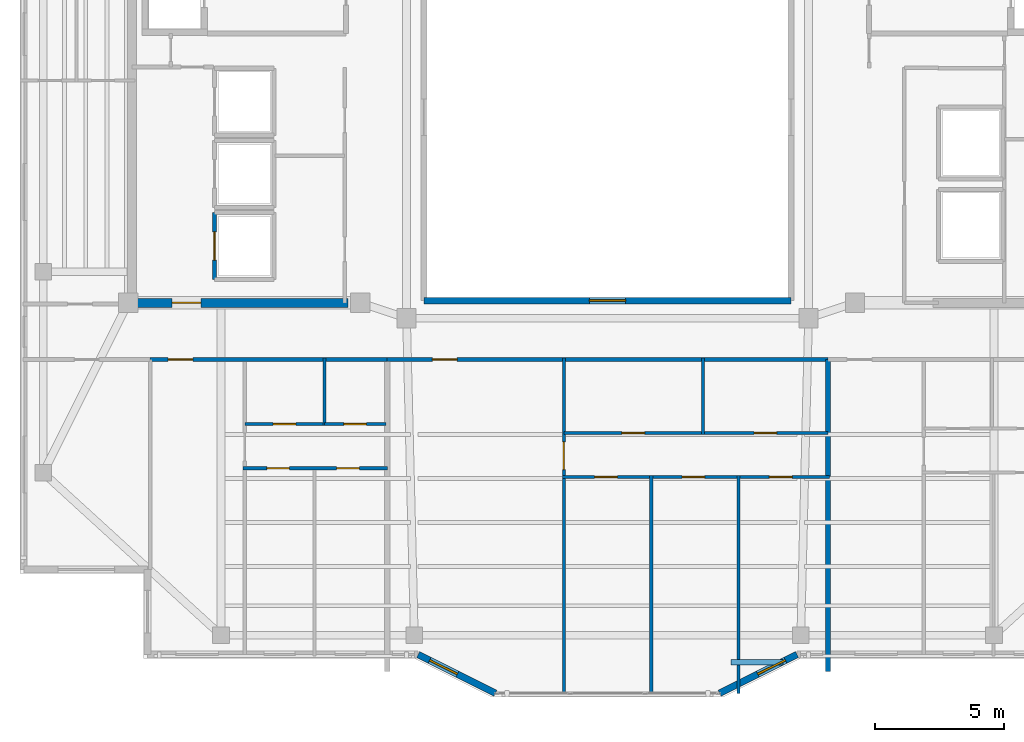
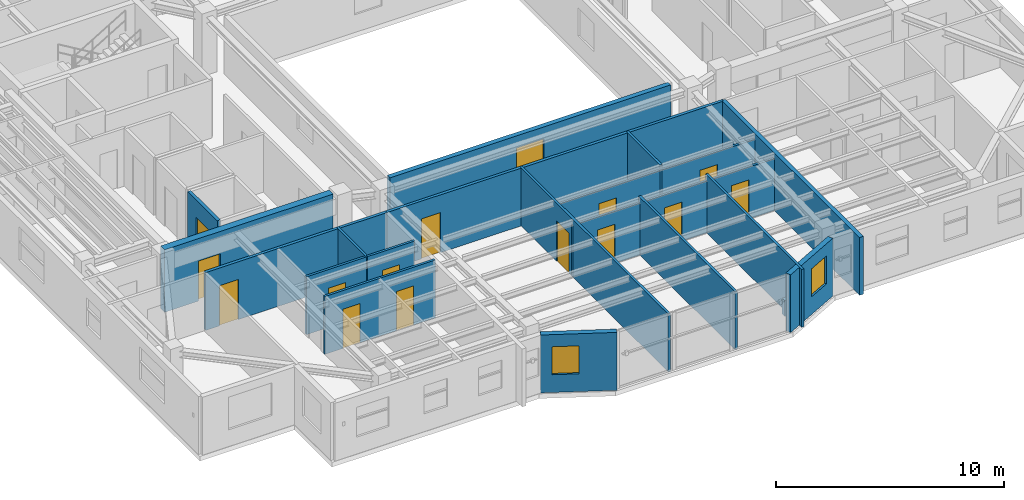
# One storey, part 6 of 15: 20 walls, 14 doors, 3 windows, 17 openings.
"""IFC4 building model written with IfcOpenShell, lengths in metres."""

from ifc_helpers import new_model, si_unit, direction, frame, frame_2d, origin, place, context, subcontext, project, spatial, rectangle, extrude, material, layer, layer_set, type_object, element, fill, save


model = new_model("IFC4")

# Units and contexts
model_context = context("Model", 3, precision=1e-05, world=origin(), true_north=direction((0.0, 1.0)))
body_context = subcontext(model_context, "Body", "Model", "MODEL_VIEW")
ifc_project = project(units=[si_unit("LENGTHUNIT", "METRE"), si_unit("AREAUNIT", "SQUARE_METRE"), si_unit("VOLUMEUNIT", "CUBIC_METRE"), si_unit("PLANEANGLEUNIT", "RADIAN"), si_unit("MASSUNIT", "GRAM", prefix="KILO")], contexts=[model_context])

# Site, building, storey
site_placement = place(None, origin())
site = spatial("IfcSite", under=ifc_project, at=site_placement, CompositionType="ELEMENT")
building_placement = place(site_placement, origin())
building = spatial("IfcBuilding", under=site, at=building_placement, Name="Tarnavaz Court Tower", CompositionType="ELEMENT")
storey_placement = place(building_placement, frame((0.0, 0.0, 241.5)))
storey = spatial("IfcBuildingStorey", under=building, at=storey_placement, Name="L65", CompositionType="ELEMENT", Elevation=241.5)

# Wall, opening, door
ifc_material_1 = material(Name="Concrete C50/60", Category="concrete")
ifc_layer_1 = layer(ifc_material_1, 0.35009765625)
ifc_layer_set_1 = layer_set([ifc_layer_1], Name="Concrete C50/60")
wall_type_1 = type_object("IfcWallType", Name="WL-CORE-350-C50", PredefinedType="SHEAR", material=ifc_layer_set_1)
wall_1_placement = place(storey_placement, frame((-18.625, -7.199951171875, 0.0), z_axis=(0.0, 0.0, 1.0), x_axis=(1.0, 0.0, 0.0)))
wall_1 = element("IfcWall", 1, at=wall_1_placement, inside=storey, type_object=wall_type_1, Name="L65 West Core South Shear Wall 046", PredefinedType="SHEAR", context=body_context, shape_type="SweptSolid", body=[
    extrude(rectangle(XDim=8.550048828125, YDim=0.35009765625, at=frame_2d((4.27490234375, 0.0))), origin(), (0.0, 0.0, 1.0), 3.35009765625),
])
opening_1_placement = place(wall_1_placement, frame((1.72509765625, 0.0, 0.0)))
opening_1 = element("IfcOpeningElement", 2, at=opening_1_placement, cuts=wall_1, Name="Opening D04", PredefinedType="OPENING", context=body_context, shape_type="SweptSolid", body=[
    extrude(rectangle(XDim=1.1201171875, YDim=2.14990234375, at=frame_2d((0.56005859375, 1.074951171875))), frame((0.0, 0.18505859375, 0.0), z_axis=(0.0, -1.0, 0.0), x_axis=(1.0, 0.0, 0.0)), (0.0, 0.0, 1.0), 0.3701171875),
])
ifc_material_2 = material(Name="Fire-Rated Hardwood Timber Core", Category="wood")
door_type_1 = type_object("IfcDoorType", Name="DR-FD60-1100", OperationType="NOTDEFINED", PredefinedType="DOOR", material=ifc_material_2)
door_1_placement = place(opening_1_placement, origin())
door_1 = element("IfcDoor", 3, at=door_1_placement, inside=storey, type_object=door_type_1, Name="L65 West High-Rise Lift Lobby Door", OperationType="SINGLE_SWING_LEFT", OverallHeight=2.14990234375, OverallWidth=1.1201171875, PredefinedType="DOOR", context=body_context, shape_type="SweptSolid", body=[
    extrude(rectangle(XDim=1.1201171875, YDim=2.14990234375, at=frame_2d((0.56005859375, 1.074951171875))), frame((0.0, 0.02490234375, 0.0), z_axis=(0.0, -1.0, 0.0), x_axis=(1.0, 0.0, 0.0)), (0.0, 0.0, 1.0), 0.050048828125),
])
fill(opening_1, door_1)

# Wall, opening, window
ifc_material_3 = material(Name="Precast Concrete C40/50", Category="concrete")
ifc_layer_2 = layer(ifc_material_3, 0.260009765625)
ifc_layer_set_2 = layer_set([ifc_layer_2], Name="Precast Concrete C40/50")
wall_type_2 = type_object("IfcWallType", Name="WL-EXT-260", PredefinedType="SOLIDWALL", material=ifc_layer_set_2)
wall_2_placement = place(storey_placement, frame((7.35009765625, -20.85009765625, 0.0), z_axis=(0.0, 0.0, 1.0), x_axis=(-0.894427191, -0.4472135955, 0.0)))
wall_2 = element("IfcWall", 4, at=wall_2_placement, inside=storey, type_object=wall_type_2, Name="L65 Exterior Terracotta Facade Wall 16", PredefinedType="SOLIDWALL", context=body_context, shape_type="SweptSolid", body=[
    extrude(rectangle(XDim=3.35400390625, YDim=0.260009765625, at=frame_2d((1.677001953125, 0.0))), origin(), (0.0, 0.0, 1.0), 3.10009765625),
])
opening_2_placement = place(wall_2_placement, frame((0.501220703125, 0.0, 0.949951171875)))
opening_2 = element("IfcOpeningElement", 5, at=opening_2_placement, cuts=wall_2, Name="Opening W05", PredefinedType="OPENING", context=body_context, shape_type="SweptSolid", body=[
    extrude(rectangle(XDim=1.199951171875, YDim=1.5, at=frame_2d((0.60009765625, 0.75))), frame((0.0, 0.139892578125, 0.0), z_axis=(0.0, -1.0, 0.0), x_axis=(1.0, 0.0, 0.0)), (0.0, 0.0, 1.0), 0.280029296875),
])
ifc_material_4 = material(Name="Double-Glazed Solar Low-E Glass", Category="glass")
window_type_1 = type_object("IfcWindowType", Name="WN-APT-1200", PartitioningType="SINGLE_PANEL", PredefinedType="WINDOW", material=ifc_material_4)
window_1_placement = place(opening_2_placement, origin())
window_1 = element("IfcWindow", 6, at=window_1_placement, inside=storey, type_object=window_type_1, Name="L65 Flat 07 Bedroom 3 Window", OverallHeight=1.5, OverallWidth=1.199951171875, PartitioningType="SINGLE_PANEL", PredefinedType="WINDOW", context=body_context, shape_type="SweptSolid", body=[
    extrude(rectangle(XDim=1.199951171875, YDim=1.5, at=frame_2d((0.60009765625, 0.75))), frame((0.0, 0.030029296875, 0.0), z_axis=(0.0, -1.0, 0.0), x_axis=(1.0, 0.0, 0.0)), (0.0, 0.0, 1.0), 0.06005859375),
])
fill(opening_2, window_1)

wall_3_placement = place(storey_placement, frame((-4.35009765625, -22.35009765625, 0.0), z_axis=(0.0, 0.0, 1.0), x_axis=(-0.894427191, 0.4472135955, 0.0)))
wall_3 = element("IfcWall", 7, at=wall_3_placement, inside=storey, type_object=wall_type_2, Name="L65 Exterior Terracotta Facade Wall 18", PredefinedType="SOLIDWALL", context=body_context, shape_type="SweptSolid", body=[
    extrude(rectangle(XDim=3.35400390625, YDim=0.260009765625, at=frame_2d((1.677001953125, 0.0))), origin(), (0.0, 0.0, 1.0), 3.10009765625),
])
opening_3_placement = place(wall_3_placement, frame((1.65283203125, 0.0, 0.949951171875)))
opening_3 = element("IfcOpeningElement", 8, at=opening_3_placement, cuts=wall_3, Name="Opening W05", PredefinedType="OPENING", context=body_context, shape_type="SweptSolid", body=[
    extrude(rectangle(XDim=1.199951171875, YDim=1.5, at=frame_2d((0.60009765625, 0.75))), frame((0.0, 0.139892578125, 0.0), z_axis=(0.0, -1.0, 0.0), x_axis=(1.0, 0.0, 0.0)), (0.0, 0.0, 1.0), 0.280029296875),
])
window_2_placement = place(opening_3_placement, origin())
window_2 = element("IfcWindow", 9, at=window_2_placement, inside=storey, type_object=window_type_1, Name="L65 Flat 07 Living and Dining Room Window", OverallHeight=1.5, OverallWidth=1.199951171875, PartitioningType="SINGLE_PANEL", PredefinedType="WINDOW", context=body_context, shape_type="SweptSolid", body=[
    extrude(rectangle(XDim=1.199951171875, YDim=1.5, at=frame_2d((0.60009765625, 0.75))), frame((0.0, 0.030029296875, 0.0), z_axis=(0.0, -1.0, 0.0), x_axis=(1.0, 0.0, 0.0)), (0.0, 0.0, 1.0), 0.06005859375),
])
fill(opening_3, window_2)

# Wall, opening, door
ifc_material_5 = material(Name="Gypsum Fire-Board on Acoustic Metal Stud", Category="masonry")
ifc_layer_3 = layer(ifc_material_5, 0.14990234375)
ifc_layer_set_3 = layer_set([ifc_layer_3], Name="Gypsum Fire-Board on Acoustic Metal Stud")
wall_type_3 = type_object("IfcWallType", Name="WL-FIRE-150", PredefinedType="PARTITIONING", material=ifc_layer_set_3)
wall_4_placement = place(storey_placement, frame((-17.75, -9.39990234375, 0.0), z_axis=(0.0, 0.0, 1.0), x_axis=(1.0, 0.0, 0.0)))
wall_4 = element("IfcWall", 10, at=wall_4_placement, inside=storey, type_object=wall_type_3, Name="L65 SW Lobby Wall 062", PredefinedType="PARTITIONING", context=body_context, shape_type="SweptSolid", body=[
    extrude(rectangle(XDim=9.199951171875, YDim=0.14990234375, at=frame_2d((4.60009765625, 0.0))), origin(), (0.0, 0.0, 1.0), 3.10009765625),
])
opening_4_placement = place(wall_4_placement, frame((0.699951171875, 0.0, 0.0)))
opening_4 = element("IfcOpeningElement", 11, at=opening_4_placement, cuts=wall_4, Name="Opening D06", PredefinedType="OPENING", context=body_context, shape_type="SweptSolid", body=[
    extrude(rectangle(XDim=0.9599609375, YDim=2.14990234375, at=frame_2d((0.47998046875, 1.074951171875))), frame((0.0, 0.0849609375, 0.0), z_axis=(0.0, -1.0, 0.0), x_axis=(1.0, 0.0, 0.0)), (0.0, 0.0, 1.0), 0.169921875),
])
door_type_2 = type_object("IfcDoorType", Name="DR-FD60-950", OperationType="NOTDEFINED", PredefinedType="DOOR", material=ifc_material_2)
door_2_placement = place(opening_4_placement, origin())
door_2 = element("IfcDoor", 12, at=door_2_placement, inside=storey, type_object=door_type_2, Name="L65 Flat 05 Entrance Door", OperationType="SINGLE_SWING_RIGHT", OverallHeight=2.14990234375, OverallWidth=0.9599609375, PredefinedType="DOOR", context=body_context, shape_type="SweptSolid", body=[
    extrude(rectangle(XDim=0.9599609375, YDim=2.14990234375, at=frame_2d((0.47998046875, 1.074951171875))), frame((0.0, 0.02490234375, 0.0), z_axis=(0.0, -1.0, 0.0), x_axis=(1.0, 0.0, 0.0)), (0.0, 0.0, 1.0), 0.050048828125),
])
fill(opening_4, door_2)

wall_5_placement = place(storey_placement, frame((-8.550048828125, -9.39990234375, 0.0), z_axis=(0.0, 0.0, 1.0), x_axis=(1.0, 0.0, 0.0)))
wall_5 = element("IfcWall", 13, at=wall_5_placement, inside=storey, type_object=wall_type_3, Name="L65 Interior Partition 103", PredefinedType="PARTITIONING", context=body_context, shape_type="SweptSolid", body=[
    extrude(rectangle(XDim=17.10009765625, YDim=0.14990234375, at=frame_2d((8.550048828125, 0.0))), origin(), (0.0, 0.0, 1.0), 3.10009765625),
])
opening_5_placement = place(wall_5_placement, frame((1.75, 0.0, 0.0)))
opening_5 = element("IfcOpeningElement", 14, at=opening_5_placement, cuts=wall_5, Name="Opening D06", PredefinedType="OPENING", context=body_context, shape_type="SweptSolid", body=[
    extrude(rectangle(XDim=0.9599609375, YDim=2.14990234375, at=frame_2d((0.47998046875, 1.074951171875))), frame((0.0, 0.0849609375, 0.0), z_axis=(0.0, -1.0, 0.0), x_axis=(1.0, 0.0, 0.0)), (0.0, 0.0, 1.0), 0.169921875),
])
door_3_placement = place(opening_5_placement, origin())
door_3 = element("IfcDoor", 15, at=door_3_placement, inside=storey, type_object=door_type_2, Name="L65 Flat 07 Entrance Door", OperationType="SINGLE_SWING_RIGHT", OverallHeight=2.14990234375, OverallWidth=0.9599609375, PredefinedType="DOOR", context=body_context, shape_type="SweptSolid", body=[
    extrude(rectangle(XDim=0.9599609375, YDim=2.14990234375, at=frame_2d((0.47998046875, 1.074951171875))), frame((0.0, 0.02490234375, 0.0), z_axis=(0.0, -1.0, 0.0), x_axis=(1.0, 0.0, 0.0)), (0.0, 0.0, 1.0), 0.050048828125),
])
fill(opening_5, door_3)

# Walls
ifc_material_6 = material(Name="Autoclaved Aerated Concrete Blockwork", Category="masonry")
ifc_layer_4 = layer(ifc_material_6, 0.199951171875)
ifc_layer_set_4 = layer_set([ifc_layer_4], Name="Autoclaved Aerated Concrete Blockwork")
wall_type_4 = type_object("IfcWallType", Name="WL-FIRE-200", PredefinedType="SOLIDWALL", material=ifc_layer_set_4)
wall_6_placement = place(storey_placement, frame((8.550048828125, -21.50390625, 0.0), z_axis=(0.0, 0.0, 1.0), x_axis=(0.0, 1.0, 0.0)))
element("IfcWall", 16, at=wall_6_placement, inside=storey, type_object=wall_type_4, Name="L65 Party Wall 102", PredefinedType="SOLIDWALL", context=body_context, shape_type="SweptSolid", body=[
    extrude(rectangle(XDim=12.10400390625, YDim=0.199951171875, at=frame_2d((6.052001953125, 0.0))), origin(), (0.0, 0.0, 1.0), 3.10009765625),
])
ifc_layer_5 = layer(ifc_material_3, 0.219970703125)
ifc_layer_set_5 = layer_set([ifc_layer_5], Name="Precast Concrete C40/50")
wall_type_5 = type_object("IfcWallType", Name="WL-PARAPET-220", PredefinedType="PARAPET", material=ifc_layer_set_5)
wall_7_placement = place(storey_placement, frame((4.800048828125, -21.14990234375, 0.0), z_axis=(0.0, 0.0, 1.0), x_axis=(1.0, 0.0, 0.0)))
element("IfcWall", 17, at=wall_7_placement, inside=storey, type_object=wall_type_5, Name="L65 South Prow Terracotta Parapet Upstand", PredefinedType="PARAPET", context=body_context, shape_type="SweptSolid", body=[
    extrude(rectangle(XDim=2.0, YDim=0.219970703125, at=frame_2d((1.0, 0.0))), origin(), (0.0, 0.0, 1.0), 0.85009765625),
])

# Wall, opening, door
ifc_material_7 = material(Name="Moisture-Resistant Gypsum Board Partition", Category="masonry")
ifc_layer_6 = layer(ifc_material_7, 0.1201171875)
ifc_layer_set_6 = layer_set([ifc_layer_6], Name="Moisture-Resistant Gypsum Board Partition")
wall_type_6 = type_object("IfcWallType", Name="WL-PART-120", PredefinedType="PARTITIONING", material=ifc_layer_set_6)
wall_8_placement = place(storey_placement, frame((-14.077880859375, -11.909912109375, 0.0), z_axis=(0.0, 0.0, 1.0), x_axis=(1.0, 0.0, 0.0)))
wall_8 = element("IfcWall", 18, at=wall_8_placement, inside=storey, type_object=wall_type_6, Name="L65 Interior Partition 090", PredefinedType="PARTITIONING", context=body_context, shape_type="SweptSolid", body=[
    extrude(rectangle(XDim=3.087890625, YDim=0.1201171875, at=frame_2d((1.5439453125, 0.0))), origin(), (0.0, 0.0, 1.0), 3.10009765625),
])
opening_6_placement = place(wall_8_placement, frame((1.10400390625, 0.0, 0.0)))
opening_6 = element("IfcOpeningElement", 19, at=opening_6_placement, cuts=wall_8, Name="Opening D14", PredefinedType="OPENING", context=body_context, shape_type="SweptSolid", body=[
    extrude(rectangle(XDim=0.8798828125, YDim=2.10009765625, at=frame_2d((0.43994140625, 1.050048828125))), frame((0.0, 0.070068359375, 0.0), z_axis=(0.0, -1.0, 0.0), x_axis=(1.0, 0.0, 0.0)), (0.0, 0.0, 1.0), 0.14013671875),
])
ifc_material_8 = material(Name="Engineered Oak Timber", Category="wood")
door_type_3 = type_object("IfcDoorType", Name="DR-INT-900", OperationType="NOTDEFINED", PredefinedType="DOOR", material=ifc_material_8)
door_4_placement = place(opening_6_placement, origin())
door_4 = element("IfcDoor", 20, at=door_4_placement, inside=storey, type_object=door_type_3, Name="L65 Flat 05 Kitchen Door", OperationType="SINGLE_SWING_RIGHT", OverallHeight=2.10009765625, OverallWidth=0.8798828125, PredefinedType="DOOR", context=body_context, shape_type="SweptSolid", body=[
    extrude(rectangle(XDim=0.8798828125, YDim=2.10009765625, at=frame_2d((0.43994140625, 1.050048828125))), frame((0.0, 0.02490234375, 0.0), z_axis=(0.0, -1.0, 0.0), x_axis=(1.0, 0.0, 0.0)), (0.0, 0.0, 1.0), 0.050048828125),
])
fill(opening_6, door_4)

wall_9_placement = place(storey_placement, frame((-10.989990234375, -11.909912109375, 0.0), z_axis=(0.0, 0.0, 1.0), x_axis=(1.0, 0.0, 0.0)))
wall_9 = element("IfcWall", 21, at=wall_9_placement, inside=storey, type_object=wall_type_6, Name="L65 Interior Partition 091", PredefinedType="PARTITIONING", context=body_context, shape_type="SweptSolid", body=[
    extrude(rectangle(XDim=2.389892578125, YDim=0.1201171875, at=frame_2d((1.19482421875, 0.0))), origin(), (0.0, 0.0, 1.0), 3.10009765625),
])
opening_7_placement = place(wall_9_placement, frame((0.7548828125, 0.0, 0.0)))
opening_7 = element("IfcOpeningElement", 22, at=opening_7_placement, cuts=wall_9, Name="Opening D14", PredefinedType="OPENING", context=body_context, shape_type="SweptSolid", body=[
    extrude(rectangle(XDim=0.8798828125, YDim=2.10009765625, at=frame_2d((0.43994140625, 1.050048828125))), frame((0.0, 0.070068359375, 0.0), z_axis=(0.0, -1.0, 0.0), x_axis=(1.0, 0.0, 0.0)), (0.0, 0.0, 1.0), 0.14013671875),
])
door_5_placement = place(opening_7_placement, origin())
door_5 = element("IfcDoor", 23, at=door_5_placement, inside=storey, type_object=door_type_3, Name="L65 Flat 05 Bathroom Door", OperationType="SINGLE_SWING_LEFT", OverallHeight=2.10009765625, OverallWidth=0.8798828125, PredefinedType="DOOR", context=body_context, shape_type="SweptSolid", body=[
    extrude(rectangle(XDim=0.8798828125, YDim=2.10009765625, at=frame_2d((0.43994140625, 1.050048828125))), frame((0.0, 0.02490234375, 0.0), z_axis=(0.0, -1.0, 0.0), x_axis=(1.0, 0.0, 0.0)), (0.0, 0.0, 1.0), 0.050048828125),
])
fill(opening_7, door_5)

# Wall, openings, doors
wall_10_placement = place(storey_placement, frame((-14.137939453125, -13.6201171875, 0.0), z_axis=(0.0, 0.0, 1.0), x_axis=(1.0, 0.0, 0.0)))
wall_10 = element("IfcWall", 24, at=wall_10_placement, inside=storey, type_object=wall_type_6, Name="L65 Interior Partition 092", PredefinedType="PARTITIONING", context=body_context, shape_type="SweptSolid", body=[
    extrude(rectangle(XDim=5.597900390625, YDim=0.1201171875, at=frame_2d((2.798828125, 0.0))), origin(), (0.0, 0.0, 1.0), 3.10009765625),
])
opening_8_placement = place(wall_10_placement, frame((0.9140625, 0.0, 0.0)))
opening_8 = element("IfcOpeningElement", 25, at=opening_8_placement, cuts=wall_10, Name="Opening D14", PredefinedType="OPENING", context=body_context, shape_type="SweptSolid", body=[
    extrude(rectangle(XDim=0.8798828125, YDim=2.10009765625, at=frame_2d((0.43994140625, 1.050048828125))), frame((0.0, 0.070068359375, 0.0), z_axis=(0.0, -1.0, 0.0), x_axis=(1.0, 0.0, 0.0)), (0.0, 0.0, 1.0), 0.14013671875),
])
opening_9_placement = place(wall_10_placement, frame((3.623046875, 0.0, 0.0)))
opening_9 = element("IfcOpeningElement", 26, at=opening_9_placement, cuts=wall_10, Name="Opening D14", PredefinedType="OPENING", context=body_context, shape_type="SweptSolid", body=[
    extrude(rectangle(XDim=0.8798828125, YDim=2.10009765625, at=frame_2d((0.43994140625, 1.050048828125))), frame((0.0, 0.070068359375, 0.0), z_axis=(0.0, -1.0, 0.0), x_axis=(1.0, 0.0, 0.0)), (0.0, 0.0, 1.0), 0.14013671875),
])
door_6_placement = place(opening_8_placement, origin())
door_6 = element("IfcDoor", 27, at=door_6_placement, inside=storey, type_object=door_type_3, Name="L65 Flat 05 Bedroom 1 Door", OperationType="SINGLE_SWING_RIGHT", OverallHeight=2.10009765625, OverallWidth=0.8798828125, PredefinedType="DOOR", context=body_context, shape_type="SweptSolid", body=[
    extrude(rectangle(XDim=0.8798828125, YDim=2.10009765625, at=frame_2d((0.43994140625, 1.050048828125))), frame((0.0, 0.02490234375, 0.0), z_axis=(0.0, -1.0, 0.0), x_axis=(1.0, 0.0, 0.0)), (0.0, 0.0, 1.0), 0.050048828125),
])
fill(opening_8, door_6)
door_7_placement = place(opening_9_placement, origin())
door_7 = element("IfcDoor", 28, at=door_7_placement, inside=storey, type_object=door_type_3, Name="L65 Flat 05 Bedroom 2 Door", OperationType="SINGLE_SWING_LEFT", OverallHeight=2.10009765625, OverallWidth=0.8798828125, PredefinedType="DOOR", context=body_context, shape_type="SweptSolid", body=[
    extrude(rectangle(XDim=0.8798828125, YDim=2.10009765625, at=frame_2d((0.43994140625, 1.050048828125))), frame((0.0, 0.02490234375, 0.0), z_axis=(0.0, -1.0, 0.0), x_axis=(1.0, 0.0, 0.0)), (0.0, 0.0, 1.0), 0.050048828125),
])
fill(opening_9, door_7)

# Wall
wall_11_placement = place(storey_placement, frame((-10.989990234375, -11.969970703125, 0.0), z_axis=(0.0, 0.0, 1.0), x_axis=(0.0, 1.0, 0.0)))
element("IfcWall", 29, at=wall_11_placement, inside=storey, type_object=wall_type_6, Name="L65 Interior Partition 093", PredefinedType="PARTITIONING", context=body_context, shape_type="SweptSolid", body=[
    extrude(rectangle(XDim=2.6298828125, YDim=0.1201171875, at=frame_2d((1.31494140625, 0.0))), origin(), (0.0, 0.0, 1.0), 3.10009765625),
])

# Wall, opening, door
wall_12_placement = place(storey_placement, frame((-1.696044921875, -22.3798828125, 0.0), z_axis=(0.0, 0.0, 1.0), x_axis=(0.0, 1.0, 0.0)))
wall_12 = element("IfcWall", 30, at=wall_12_placement, inside=storey, type_object=wall_type_6, Name="L65 Interior Partition 104", PredefinedType="PARTITIONING", context=body_context, shape_type="SweptSolid", body=[
    extrude(rectangle(XDim=13.039794921875, YDim=0.1201171875, at=frame_2d((6.52001953125, 0.0))), origin(), (0.0, 0.0, 1.0), 3.10009765625),
])
opening_10_placement = place(wall_12_placement, frame((8.705078125, 0.0, 0.0)))
opening_10 = element("IfcOpeningElement", 31, at=opening_10_placement, cuts=wall_12, Name="Opening D12", PredefinedType="OPENING", context=body_context, shape_type="SweptSolid", body=[
    extrude(rectangle(XDim=1.080078125, YDim=2.14990234375, at=frame_2d((0.5400390625, 1.074951171875))), frame((0.0, 0.070068359375, 0.0), z_axis=(0.0, -1.0, 0.0), x_axis=(1.0, 0.0, 0.0)), (0.0, 0.0, 1.0), 0.14013671875),
])
door_type_4 = type_object("IfcDoorType", Name="DR-INT-1100", OperationType="NOTDEFINED", PredefinedType="DOOR", material=ifc_material_8)
door_8_placement = place(opening_10_placement, origin())
door_8 = element("IfcDoor", 32, at=door_8_placement, inside=storey, type_object=door_type_4, Name="L65 Flat 07 Foyer Door", OperationType="SINGLE_SWING_LEFT", OverallHeight=2.14990234375, OverallWidth=1.080078125, PredefinedType="DOOR", context=body_context, shape_type="SweptSolid", body=[
    extrude(rectangle(XDim=1.080078125, YDim=2.14990234375, at=frame_2d((0.5400390625, 1.074951171875))), frame((0.0, 0.02490234375, 0.0), z_axis=(0.0, -1.0, 0.0), x_axis=(1.0, 0.0, 0.0)), (0.0, 0.0, 1.0), 0.050048828125),
])
fill(opening_10, door_8)

wall_13_placement = place(storey_placement, frame((-1.696044921875, -12.25, 0.0), z_axis=(0.0, 0.0, 1.0), x_axis=(1.0, 0.0, 0.0)))
wall_13 = element("IfcWall", 33, at=wall_13_placement, inside=storey, type_object=wall_type_6, Name="L65 Interior Partition 105", PredefinedType="PARTITIONING", context=body_context, shape_type="SweptSolid", body=[
    extrude(rectangle(XDim=5.39306640625, YDim=0.1201171875, at=frame_2d((2.696533203125, 0.0))), origin(), (0.0, 0.0, 1.0), 2.784912109375),
])
opening_11_placement = place(wall_13_placement, frame((2.256103515625, 0.0, 0.0)))
opening_11 = element("IfcOpeningElement", 34, at=opening_11_placement, cuts=wall_13, Name="Opening D14", PredefinedType="OPENING", context=body_context, shape_type="SweptSolid", body=[
    extrude(rectangle(XDim=0.8798828125, YDim=2.10009765625, at=frame_2d((0.43994140625, 1.050048828125))), frame((0.0, 0.070068359375, 0.0), z_axis=(0.0, -1.0, 0.0), x_axis=(1.0, 0.0, 0.0)), (0.0, 0.0, 1.0), 0.14013671875),
])
door_9_placement = place(opening_11_placement, origin())
door_9 = element("IfcDoor", 35, at=door_9_placement, inside=storey, type_object=door_type_3, Name="L65 Flat 07 Kitchen Door", OperationType="SINGLE_SWING_RIGHT", OverallHeight=2.10009765625, OverallWidth=0.8798828125, PredefinedType="DOOR", context=body_context, shape_type="SweptSolid", body=[
    extrude(rectangle(XDim=0.8798828125, YDim=2.10009765625, at=frame_2d((0.43994140625, 1.050048828125))), frame((0.0, 0.02490234375, 0.0), z_axis=(0.0, -1.0, 0.0), x_axis=(1.0, 0.0, 0.0)), (0.0, 0.0, 1.0), 0.050048828125),
])
fill(opening_11, door_9)

wall_14_placement = place(storey_placement, frame((3.697021484375, -12.25, 0.0), z_axis=(0.0, 0.0, 1.0), x_axis=(1.0, 0.0, 0.0)))
wall_14 = element("IfcWall", 36, at=wall_14_placement, inside=storey, type_object=wall_type_6, Name="L65 Interior Partition 106", PredefinedType="PARTITIONING", context=body_context, shape_type="SweptSolid", body=[
    extrude(rectangle(XDim=4.85302734375, YDim=0.1201171875, at=frame_2d((2.426513671875, 0.0))), origin(), (0.0, 0.0, 1.0), 2.784912109375),
])
opening_12_placement = place(wall_14_placement, frame((1.987060546875, 0.0, 0.0)))
opening_12 = element("IfcOpeningElement", 37, at=opening_12_placement, cuts=wall_14, Name="Opening D14", PredefinedType="OPENING", context=body_context, shape_type="SweptSolid", body=[
    extrude(rectangle(XDim=0.8798828125, YDim=2.10009765625, at=frame_2d((0.43994140625, 1.050048828125))), frame((0.0, 0.070068359375, 0.0), z_axis=(0.0, -1.0, 0.0), x_axis=(1.0, 0.0, 0.0)), (0.0, 0.0, 1.0), 0.14013671875),
])
door_10_placement = place(opening_12_placement, origin())
door_10 = element("IfcDoor", 38, at=door_10_placement, inside=storey, type_object=door_type_3, Name="L65 Flat 07 Bathroom Door", OperationType="SINGLE_SWING_LEFT", OverallHeight=2.10009765625, OverallWidth=0.8798828125, PredefinedType="DOOR", context=body_context, shape_type="SweptSolid", body=[
    extrude(rectangle(XDim=0.8798828125, YDim=2.10009765625, at=frame_2d((0.43994140625, 1.050048828125))), frame((0.0, 0.02490234375, 0.0), z_axis=(0.0, -1.0, 0.0), x_axis=(1.0, 0.0, 0.0)), (0.0, 0.0, 1.0), 0.050048828125),
])
fill(opening_12, door_10)

# Wall, openings, doors
wall_15_placement = place(storey_placement, frame((-1.756103515625, -13.9599609375, 0.0), z_axis=(0.0, 0.0, 1.0), x_axis=(1.0, 0.0, 0.0)))
wall_15 = element("IfcWall", 39, at=wall_15_placement, inside=storey, type_object=wall_type_6, Name="L65 Interior Partition 107", PredefinedType="PARTITIONING", context=body_context, shape_type="SweptSolid", body=[
    extrude(rectangle(XDim=10.3662109375, YDim=0.1201171875, at=frame_2d((5.18310546875, 0.0))), origin(), (0.0, 0.0, 1.0), 2.784912109375),
])
opening_13_placement = place(wall_15_placement, frame((1.256103515625, 0.0, 0.0)))
opening_13 = element("IfcOpeningElement", 40, at=opening_13_placement, cuts=wall_15, Name="Opening D14", PredefinedType="OPENING", context=body_context, shape_type="SweptSolid", body=[
    extrude(rectangle(XDim=0.8798828125, YDim=2.10009765625, at=frame_2d((0.43994140625, 1.050048828125))), frame((0.0, 0.070068359375, 0.0), z_axis=(0.0, -1.0, 0.0), x_axis=(1.0, 0.0, 0.0)), (0.0, 0.0, 1.0), 0.14013671875),
])
opening_14_placement = place(wall_15_placement, frame((4.64794921875, 0.0, 0.0)))
opening_14 = element("IfcOpeningElement", 41, at=opening_14_placement, cuts=wall_15, Name="Opening D14", PredefinedType="OPENING", context=body_context, shape_type="SweptSolid", body=[
    extrude(rectangle(XDim=0.8798828125, YDim=2.10009765625, at=frame_2d((0.43994140625, 1.050048828125))), frame((0.0, 0.070068359375, 0.0), z_axis=(0.0, -1.0, 0.0), x_axis=(1.0, 0.0, 0.0)), (0.0, 0.0, 1.0), 0.14013671875),
])
opening_15_placement = place(wall_15_placement, frame((8.0400390625, 0.0, 0.0)))
opening_15 = element("IfcOpeningElement", 42, at=opening_15_placement, cuts=wall_15, Name="Opening D14", PredefinedType="OPENING", context=body_context, shape_type="SweptSolid", body=[
    extrude(rectangle(XDim=0.8798828125, YDim=2.10009765625, at=frame_2d((0.43994140625, 1.050048828125))), frame((0.0, 0.070068359375, 0.0), z_axis=(0.0, -1.0, 0.0), x_axis=(1.0, 0.0, 0.0)), (0.0, 0.0, 1.0), 0.14013671875),
])
door_11_placement = place(opening_13_placement, origin())
door_11 = element("IfcDoor", 43, at=door_11_placement, inside=storey, type_object=door_type_3, Name="L65 Flat 07 Bedroom 1 Door", OperationType="SINGLE_SWING_RIGHT", OverallHeight=2.10009765625, OverallWidth=0.8798828125, PredefinedType="DOOR", context=body_context, shape_type="SweptSolid", body=[
    extrude(rectangle(XDim=0.8798828125, YDim=2.10009765625, at=frame_2d((0.43994140625, 1.050048828125))), frame((0.0, 0.02490234375, 0.0), z_axis=(0.0, -1.0, 0.0), x_axis=(1.0, 0.0, 0.0)), (0.0, 0.0, 1.0), 0.050048828125),
])
fill(opening_13, door_11)
door_12_placement = place(opening_14_placement, origin())
door_12 = element("IfcDoor", 44, at=door_12_placement, inside=storey, type_object=door_type_3, Name="L65 Flat 07 Bedroom 2 Door", OperationType="SINGLE_SWING_LEFT", OverallHeight=2.10009765625, OverallWidth=0.8798828125, PredefinedType="DOOR", context=body_context, shape_type="SweptSolid", body=[
    extrude(rectangle(XDim=0.8798828125, YDim=2.10009765625, at=frame_2d((0.43994140625, 1.050048828125))), frame((0.0, 0.02490234375, 0.0), z_axis=(0.0, -1.0, 0.0), x_axis=(1.0, 0.0, 0.0)), (0.0, 0.0, 1.0), 0.050048828125),
])
fill(opening_14, door_12)
door_13_placement = place(opening_15_placement, origin())
door_13 = element("IfcDoor", 45, at=door_13_placement, inside=storey, type_object=door_type_3, Name="L65 Flat 07 Bedroom 3 Door", OperationType="SINGLE_SWING_RIGHT", OverallHeight=2.10009765625, OverallWidth=0.8798828125, PredefinedType="DOOR", context=body_context, shape_type="SweptSolid", body=[
    extrude(rectangle(XDim=0.8798828125, YDim=2.10009765625, at=frame_2d((0.43994140625, 1.050048828125))), frame((0.0, 0.02490234375, 0.0), z_axis=(0.0, -1.0, 0.0), x_axis=(1.0, 0.0, 0.0)), (0.0, 0.0, 1.0), 0.050048828125),
])
fill(opening_15, door_13)

# Walls
wall_16_placement = place(storey_placement, frame((3.697021484375, -12.31005859375, 0.0), z_axis=(0.0, 0.0, 1.0), x_axis=(0.0, 1.0, 0.0)))
element("IfcWall", 46, at=wall_16_placement, inside=storey, type_object=wall_type_6, Name="L65 Interior Partition 108", PredefinedType="PARTITIONING", context=body_context, shape_type="SweptSolid", body=[
    extrude(rectangle(XDim=2.969970703125, YDim=0.1201171875, at=frame_2d((1.48486328125, 0.0))), origin(), (0.0, 0.0, 1.0), 3.10009765625),
])
wall_17_placement = place(storey_placement, frame((1.696044921875, -22.3798828125, 0.0), z_axis=(0.0, 0.0, 1.0), x_axis=(0.0, 1.0, 0.0)))
element("IfcWall", 47, at=wall_17_placement, inside=storey, type_object=wall_type_6, Name="L65 Interior Partition 109", PredefinedType="PARTITIONING", context=body_context, shape_type="SweptSolid", body=[
    extrude(rectangle(XDim=8.47998046875, YDim=0.1201171875, at=frame_2d((4.239990234375, 0.0))), origin(), (0.0, 0.0, 1.0), 3.10009765625),
])
wall_18_placement = place(storey_placement, frame((5.087890625, -22.35791015625, 0.0), z_axis=(0.0, 0.0, 1.0), x_axis=(0.0, 1.0, 0.0)))
element("IfcWall", 48, at=wall_18_placement, inside=storey, type_object=wall_type_6, Name="L65 Interior Partition 110", PredefinedType="PARTITIONING", context=body_context, shape_type="SweptSolid", body=[
    extrude(rectangle(XDim=8.4580078125, YDim=0.1201171875, at=frame_2d((4.22900390625, 0.0))), origin(), (0.0, 0.0, 1.0), 3.10009765625),
])

# Wall, opening, door
ifc_layer_7 = layer(ifc_material_6, 0.159912109375)
ifc_layer_set_7 = layer_set([ifc_layer_7], Name="Autoclaved Aerated Concrete Blockwork")
wall_type_7 = type_object("IfcWallType", Name="WL-SHAFT-150", PredefinedType="SOLIDWALL", material=ifc_layer_set_7)
wall_19_placement = place(storey_placement, frame((-15.25, -6.300048828125, 0.0), z_axis=(0.0, 0.0, 1.0), x_axis=(0.0, 1.0, 0.0)))
wall_19 = element("IfcWall", 49, at=wall_19_placement, inside=storey, type_object=wall_type_7, Name="L65 Lift PL-H1 Shaft Wall 021", PredefinedType="SOLIDWALL", context=body_context, shape_type="SweptSolid", body=[
    extrude(rectangle(XDim=2.60009765625, YDim=0.159912109375, at=frame_2d((1.300048828125, 0.0))), origin(), (0.0, 0.0, 1.0), 3.10009765625),
])
opening_16_placement = place(wall_19_placement, frame((0.75, 0.0, 0.0)))
opening_16 = element("IfcOpeningElement", 50, at=opening_16_placement, cuts=wall_19, Name="Opening LD1", PredefinedType="OPENING", context=body_context, shape_type="SweptSolid", body=[
    extrude(rectangle(XDim=1.10009765625, YDim=2.14990234375, at=frame_2d((0.550048828125, 1.074951171875))), frame((0.0, 0.08984375, 0.0), z_axis=(0.0, -1.0, 0.0), x_axis=(1.0, 0.0, 0.0)), (0.0, 0.0, 1.0), 0.179931640625),
])
ifc_material_9 = material(Name="Stainless Steel", Category="steel")
door_type_5 = type_object("IfcDoorType", Name="DR-LD-1100", OperationType="NOTDEFINED", PredefinedType="DOOR", material=ifc_material_9)
door_14_placement = place(opening_16_placement, origin())
door_14 = element("IfcDoor", 51, at=door_14_placement, inside=storey, type_object=door_type_5, Name="L65 Lift Landing Door LD-PL-H1", OperationType="SLIDING_TO_LEFT", OverallHeight=2.14990234375, OverallWidth=1.10009765625, PredefinedType="DOOR", context=body_context, shape_type="SweptSolid", body=[
    extrude(rectangle(XDim=1.10009765625, YDim=2.14990234375, at=frame_2d((0.550048828125, 1.074951171875))), frame((0.0, 0.02490234375, 0.0), z_axis=(0.0, -1.0, 0.0), x_axis=(1.0, 0.0, 0.0)), (0.0, 0.0, 1.0), 0.050048828125),
])
fill(opening_16, door_14)

# Wall, opening, window
ifc_layer_8 = layer(ifc_material_3, 0.239990234375)
ifc_layer_set_8 = layer_set([ifc_layer_8], Name="Precast Concrete C40/50")
wall_type_8 = type_object("IfcWallType", Name="WL-WELL-240", PredefinedType="SOLIDWALL", material=ifc_layer_set_8)
wall_20_placement = place(storey_placement, frame((-7.1201171875, -7.1201171875, 0.0), z_axis=(0.0, 0.0, 1.0), x_axis=(1.0, 0.0, 0.0)))
wall_20 = element("IfcWall", 52, at=wall_20_placement, inside=storey, type_object=wall_type_8, Name="L65 Badgir Light-Well Exterior Wall S", PredefinedType="SOLIDWALL", context=body_context, shape_type="SweptSolid", body=[
    extrude(rectangle(XDim=14.240234375, YDim=0.239990234375, at=frame_2d((7.1201171875, 0.0))), origin(), (0.0, 0.0, 1.0), 3.10009765625),
])
opening_17_placement = place(wall_20_placement, frame((6.419921875, 0.0, 0.949951171875)))
opening_17 = element("IfcOpeningElement", 53, at=opening_17_placement, cuts=wall_20, Name="Opening W13", PredefinedType="OPENING", context=body_context, shape_type="SweptSolid", body=[
    extrude(rectangle(XDim=1.39990234375, YDim=1.5, at=frame_2d((0.699951171875, 0.75))), frame((0.0, 0.1298828125, 0.0), z_axis=(0.0, -1.0, 0.0), x_axis=(1.0, 0.0, 0.0)), (0.0, 0.0, 1.0), 0.260009765625),
])
window_type_2 = type_object("IfcWindowType", Name="WN-WEL-1400", PartitioningType="SINGLE_PANEL", PredefinedType="WINDOW", material=ifc_material_4)
window_3_placement = place(opening_17_placement, origin())
window_3 = element("IfcWindow", 54, at=window_3_placement, inside=storey, type_object=window_type_2, Name="L65 Courtyard Gallery Window S", OverallHeight=1.5, OverallWidth=1.39990234375, PartitioningType="SINGLE_PANEL", PredefinedType="WINDOW", context=body_context, shape_type="SweptSolid", body=[
    extrude(rectangle(XDim=1.39990234375, YDim=1.5, at=frame_2d((0.699951171875, 0.75))), frame((0.0, 0.030029296875, 0.0), z_axis=(0.0, -1.0, 0.0), x_axis=(1.0, 0.0, 0.0)), (0.0, 0.0, 1.0), 0.06005859375),
])
fill(opening_17, window_3)

save(model, "model.ifc")
